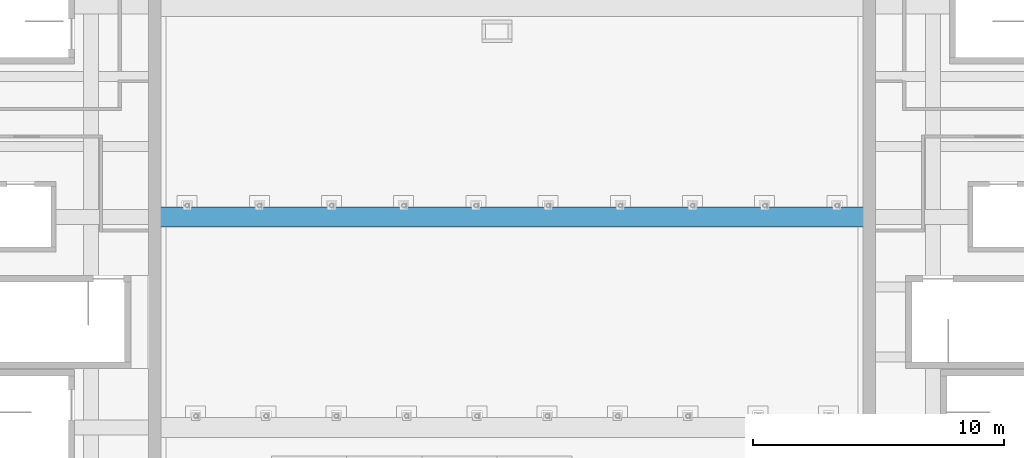
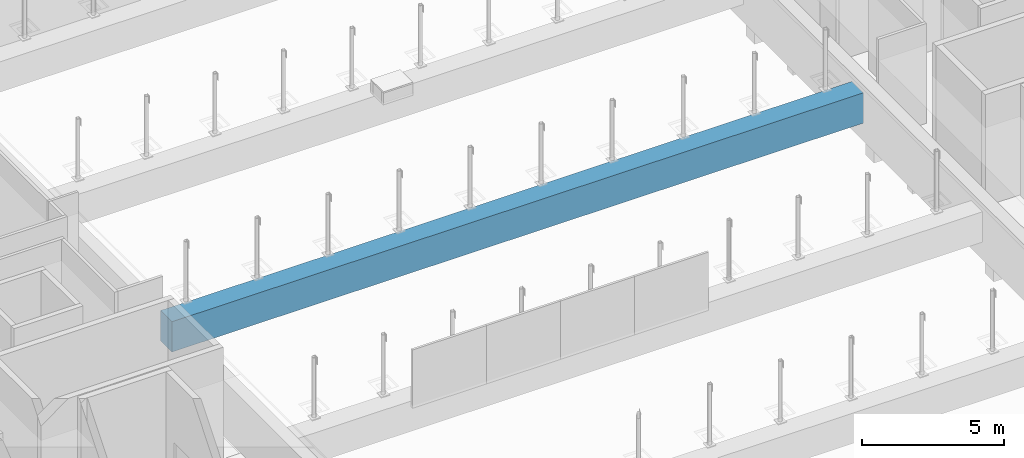
# One storey, part 11 of 47: 1 beam.
"""IFC4 building model written with IfcOpenShell, lengths in metres."""

from ifc_helpers import new_model, si_unit, direction, frame, origin, origin_2d, place, context, subcontext, project, spatial, rectangle, extrude, material, material_profile, profile_set, type_object, element, save


model = new_model("IFC4")

# Units and contexts
model_context = context("Model", 3, precision=1e-05, world=origin(), true_north=direction((0.0, 1.0)))
body_context = subcontext(model_context, "Body", "Model", "MODEL_VIEW")
ifc_project = project(units=[si_unit("LENGTHUNIT", "METRE"), si_unit("AREAUNIT", "SQUARE_METRE"), si_unit("VOLUMEUNIT", "CUBIC_METRE"), si_unit("PLANEANGLEUNIT", "RADIAN"), si_unit("MASSUNIT", "GRAM", prefix="KILO")], contexts=[model_context])

# Site, building, storey
site_placement = place(None, origin())
site = spatial("IfcSite", under=ifc_project, at=site_placement, CompositionType="ELEMENT")
building_placement = place(site_placement, origin())
building = spatial("IfcBuilding", under=site, at=building_placement, Name="Larchfold Concert Hall", CompositionType="ELEMENT")
storey_placement = place(building_placement, frame((0.0, 0.0, 24.0)))
storey = spatial("IfcBuildingStorey", under=building, at=storey_placement, Name="L05", CompositionType="ELEMENT", Elevation=24.0)

# Beam
ifc_material = material(Name="Concrete C40/50", Category="concrete")
ifc_material_profile = material_profile(ifc_material, rectangle(XDim=0.800048828125, YDim=1.300048828125, at=origin_2d()))
ifc_profile_set = profile_set([ifc_material_profile], Name="Concrete C40/50")
beam_type = type_object("IfcBeamType", Name="Beam RC 800x1300", PredefinedType="BEAM", material=ifc_profile_set)
beam_placement = place(storey_placement, frame((28.580078125, 84.60009765625, 1.39990234375), z_axis=(1.0, 0.0, 0.0), x_axis=(0.0, 1.0, 0.0)))
element("IfcBeam", 1, at=beam_placement, inside=storey, type_object=beam_type, Name="Beam B1853", PredefinedType="BEAM", context=body_context, shape_type="SweptSolid", body=[
    extrude(rectangle(XDim=0.800048828125, YDim=1.300048828125, at=origin_2d()), origin(), (0.0, 0.0, 1.0), 28.0400390625),
])

save(model, "model.ifc")
